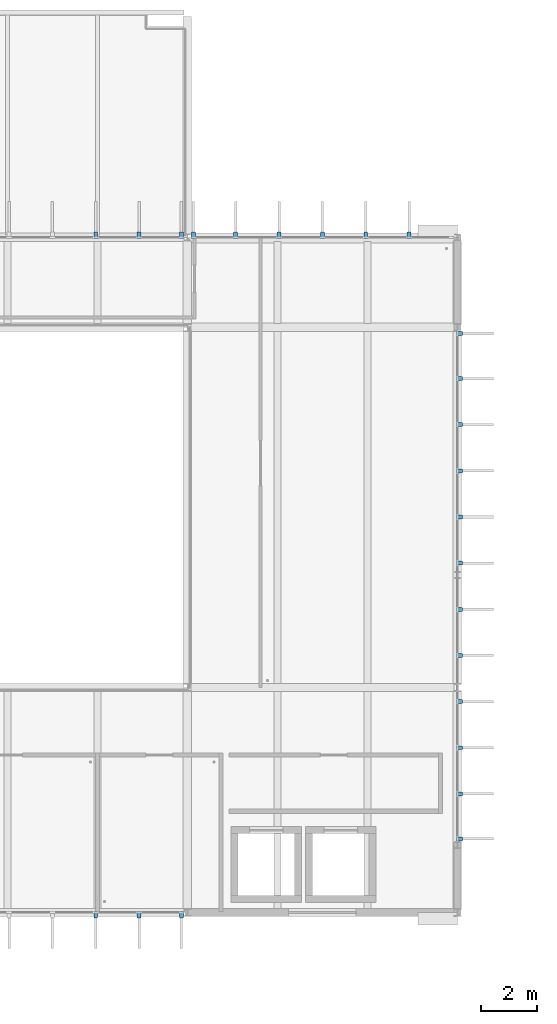
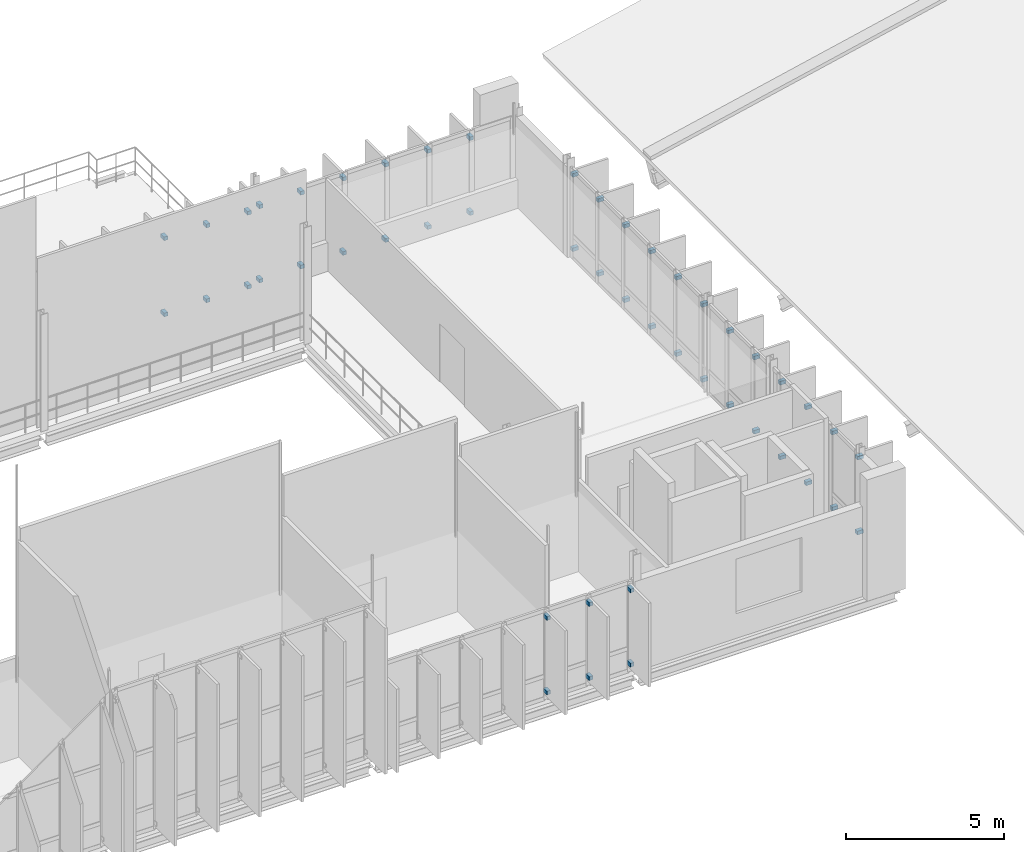
# One storey, part 37 of 41: 48 discrete accessories.
"""IFC4 building model written with IfcOpenShell, lengths in metres."""

from ifc_helpers import new_model, si_unit, direction, frame, origin, origin_2d, place, context, subcontext, project, spatial, rectangle, extrude, material, type_object, element, save


model = new_model("IFC4")

# Units and contexts
model_context = context("Model", 3, precision=1e-05, world=origin(), true_north=direction((0.0, 1.0)))
body_context = subcontext(model_context, "Body", "Model", "MODEL_VIEW")
ifc_project = project(units=[si_unit("LENGTHUNIT", "METRE"), si_unit("AREAUNIT", "SQUARE_METRE"), si_unit("VOLUMEUNIT", "CUBIC_METRE"), si_unit("PLANEANGLEUNIT", "RADIAN"), si_unit("MASSUNIT", "GRAM", prefix="KILO")], contexts=[model_context])

# Site, building, storey
site_placement = place(None, origin())
site = spatial("IfcSite", under=ifc_project, at=site_placement, CompositionType="ELEMENT")
building_placement = place(site_placement, origin())
building = spatial("IfcBuilding", under=site, at=building_placement, Name="Dunescarp Central Library", CompositionType="ELEMENT")
storey_placement = place(building_placement, frame((0.0, 0.0, 23.10009765625)))
storey = spatial("IfcBuildingStorey", under=building, at=storey_placement, Name="L05", CompositionType="ELEMENT", Elevation=23.10009765625)

# Discrete accessories
ifc_material = material(Name="Stainless steel Grade 316L", Category="steel")
discrete_accessory_type = type_object("IfcDiscreteAccessoryType", Name="ARC-ACC-BRK", PredefinedType="BRACKET", material=ifc_material)
for number, where, z_axis, x_axis, name in (
    (1, (66.985107421875, 4.719970703125, 0.27685546875), (0.0, 0.0, 1.0), (0.0, -1.0, 0.0), "Fin bracket BRK-FIN-L05-0523-B"),
    (2, (66.985107421875, 4.719970703125, 3.14306640625), (0.0, 0.0, 1.0), (0.0, -1.0, 0.0), "Fin bracket BRK-FIN-L05-0523-T"),
    (3, (65.48291015625, 4.719970703125, 0.2900390625), (0.0, 0.0, 1.0), (0.0, -1.0, 0.0), "Fin bracket BRK-FIN-L05-0524-B"),
    (4, (65.48291015625, 4.719970703125, 3.14306640625), (0.0, 0.0, 1.0), (0.0, -1.0, 0.0), "Fin bracket BRK-FIN-L05-0524-T"),
    (5, (63.94189453125, 4.719970703125, 0.27392578125), (0.0, 0.0, 1.0), (0.0, -1.0, 0.0), "Fin bracket BRK-FIN-L05-0525-B"),
    (6, (63.94189453125, 4.719970703125, 3.14306640625), (0.0, 0.0, 1.0), (0.0, -1.0, 0.0), "Fin bracket BRK-FIN-L05-0525-T"),
    (7, (63.94189453125, 28.8798828125, 0.18994140625), (0.0, 0.0, 1.0), (0.0, 1.0, 0.0), "Fin bracket BRK-FIN-L05-0540-B"),
    (8, (63.94189453125, 28.8798828125, 3.125), (0.0, 0.0, 1.0), (0.0, 1.0, 0.0), "Fin bracket BRK-FIN-L05-0540-T"),
    (9, (65.48291015625, 28.8798828125, 0.18994140625), (0.0, 0.0, 1.0), (0.0, 1.0, 0.0), "Fin bracket BRK-FIN-L05-0541-B"),
    (10, (65.48291015625, 28.8798828125, 3.0751953125), (0.0, 0.0, 1.0), (0.0, 1.0, 0.0), "Fin bracket BRK-FIN-L05-0541-T"),
    (11, (66.985107421875, 28.8798828125, 0.18994140625), (0.0, 0.0, 1.0), (0.0, 1.0, 0.0), "Fin bracket BRK-FIN-L05-0542-B"),
    (12, (66.985107421875, 28.8798828125, 3.0419921875), (0.0, 0.0, 1.0), (0.0, 1.0, 0.0), "Fin bracket BRK-FIN-L05-0542-T"),
    (13, (67.4150390625, 28.8798828125, 0.27685546875), (0.0, 0.0, 1.0), (0.0, 1.0, 0.0), "Fin bracket BRK-FIN-L05-0543-B"),
    (14, (67.4150390625, 28.8798828125, 3.1357421875), (0.0, 0.0, 1.0), (0.0, 1.0, 0.0), "Fin bracket BRK-FIN-L05-0543-T"),
    (15, (68.9169921875, 28.8798828125, 0.2900390625), (0.0, 0.0, 1.0), (0.0, 1.0, 0.0), "Fin bracket BRK-FIN-L05-0544-B"),
    (16, (68.9169921875, 28.8798828125, 3.1357421875), (0.0, 0.0, 1.0), (0.0, 1.0, 0.0), "Fin bracket BRK-FIN-L05-0544-T"),
    (17, (70.4580078125, 28.8798828125, 0.27392578125), (0.0, 0.0, 1.0), (0.0, 1.0, 0.0), "Fin bracket BRK-FIN-L05-0545-B"),
    (18, (70.4580078125, 28.8798828125, 3.1357421875), (0.0, 0.0, 1.0), (0.0, 1.0, 0.0), "Fin bracket BRK-FIN-L05-0545-T"),
    (19, (72.0, 28.8798828125, 0.23291015625), (0.0, 0.0, 1.0), (0.0, 1.0, 0.0), "Fin bracket BRK-FIN-L05-0546-B"),
    (20, (72.0, 28.8798828125, 3.1357421875), (0.0, 0.0, 1.0), (0.0, 1.0, 0.0), "Fin bracket BRK-FIN-L05-0546-T"),
    (21, (73.5419921875, 28.8798828125, 0.18994140625), (0.0, 0.0, 1.0), (0.0, 1.0, 0.0), "Fin bracket BRK-FIN-L05-0547-B"),
    (22, (73.5419921875, 28.8798828125, 3.125), (0.0, 0.0, 1.0), (0.0, 1.0, 0.0), "Fin bracket BRK-FIN-L05-0547-T"),
    (23, (75.0830078125, 28.8798828125, 0.18994140625), (0.0, 0.0, 1.0), (0.0, 1.0, 0.0), "Fin bracket BRK-FIN-L05-0548-B"),
    (24, (75.0830078125, 28.8798828125, 3.0751953125), (0.0, 0.0, 1.0), (0.0, 1.0, 0.0), "Fin bracket BRK-FIN-L05-0548-T"),
    (25, (76.8798828125, 25.385009765625, 0.27685546875), (0.0, 0.0, 1.0), (1.0, 0.0, 0.0), "Fin bracket BRK-FIN-L05-0549-B"),
    (26, (76.8798828125, 25.385009765625, 3.14306640625), (0.0, 0.0, 1.0), (1.0, 0.0, 0.0), "Fin bracket BRK-FIN-L05-0549-T"),
    (27, (76.8798828125, 23.783935546875, 0.2900390625), (0.0, 0.0, 1.0), (1.0, 0.0, 0.0), "Fin bracket BRK-FIN-L05-0550-B"),
    (28, (76.8798828125, 23.783935546875, 3.14306640625), (0.0, 0.0, 1.0), (1.0, 0.0, 0.0), "Fin bracket BRK-FIN-L05-0550-T"),
    (29, (76.8798828125, 22.14306640625, 0.27392578125), (0.0, 0.0, 1.0), (1.0, 0.0, 0.0), "Fin bracket BRK-FIN-L05-0551-B"),
    (30, (76.8798828125, 22.14306640625, 3.14306640625), (0.0, 0.0, 1.0), (1.0, 0.0, 0.0), "Fin bracket BRK-FIN-L05-0551-T"),
    (31, (76.8798828125, 20.501953125, 0.23291015625), (0.0, 0.0, 1.0), (1.0, 0.0, 0.0), "Fin bracket BRK-FIN-L05-0552-B"),
    (32, (76.8798828125, 20.501953125, 3.14306640625), (0.0, 0.0, 1.0), (1.0, 0.0, 0.0), "Fin bracket BRK-FIN-L05-0552-T"),
    (33, (76.8798828125, 18.861083984375, 0.18994140625), (0.0, 0.0, 1.0), (1.0, 0.0, 0.0), "Fin bracket BRK-FIN-L05-0553-B"),
    (34, (76.8798828125, 18.861083984375, 3.1318359375), (0.0, 0.0, 1.0), (1.0, 0.0, 0.0), "Fin bracket BRK-FIN-L05-0553-T"),
    (35, (76.8798828125, 17.219970703125, 0.18994140625), (0.0, 0.0, 1.0), (1.0, 0.0, 0.0), "Fin bracket BRK-FIN-L05-0554-B"),
    (36, (76.8798828125, 17.219970703125, 3.08203125), (0.0, 0.0, 1.0), (1.0, 0.0, 0.0), "Fin bracket BRK-FIN-L05-0554-T"),
    (37, (76.8798828125, 15.580078125, 0.18994140625), (0.0, 0.0, 1.0), (1.0, 0.0, 0.0), "Fin bracket BRK-FIN-L05-0555-B"),
    (38, (76.8798828125, 15.580078125, 3.048828125), (0.0, 0.0, 1.0), (1.0, 0.0, 0.0), "Fin bracket BRK-FIN-L05-0555-T"),
    (39, (76.8798828125, 13.93896484375, 0.18994140625), (0.0, 0.0, 1.0), (1.0, 0.0, 0.0), "Fin bracket BRK-FIN-L05-0556-B"),
    (40, (76.8798828125, 13.93896484375, 3.044921875), (0.0, 0.0, 1.0), (1.0, 0.0, 0.0), "Fin bracket BRK-FIN-L05-0556-T"),
    (41, (76.8798828125, 12.298095703125, 0.18994140625), (0.0, 0.0, 1.0), (1.0, 0.0, 0.0), "Fin bracket BRK-FIN-L05-0557-B"),
    (42, (76.8798828125, 12.298095703125, 3.06884765625), (0.0, 0.0, 1.0), (1.0, 0.0, 0.0), "Fin bracket BRK-FIN-L05-0557-T"),
    (43, (76.8798828125, 10.656982421875, 0.18994140625), (0.0, 0.0, 1.0), (1.0, 0.0, 0.0), "Fin bracket BRK-FIN-L05-0558-B"),
    (44, (76.8798828125, 10.656982421875, 3.11474609375), (0.0, 0.0, 1.0), (1.0, 0.0, 0.0), "Fin bracket BRK-FIN-L05-0558-T"),
    (45, (76.8798828125, 9.01611328125, 0.2158203125), (0.0, 0.0, 1.0), (1.0, 0.0, 0.0), "Fin bracket BRK-FIN-L05-0559-B"),
    (46, (76.8798828125, 9.01611328125, 3.14306640625), (0.0, 0.0, 1.0), (1.0, 0.0, 0.0), "Fin bracket BRK-FIN-L05-0559-T"),
    (47, (76.8798828125, 7.4150390625, 0.26318359375), (0.0, 0.0, 1.0), (1.0, 0.0, 0.0), "Fin bracket BRK-FIN-L05-0560-B"),
    (48, (76.8798828125, 7.4150390625, 3.14306640625), (0.0, 0.0, 1.0), (1.0, 0.0, 0.0), "Fin bracket BRK-FIN-L05-0560-T"),
):
    element("IfcDiscreteAccessory", number, at=place(storey_placement, frame(where, z_axis=z_axis, x_axis=x_axis)), inside=storey, type_object=discrete_accessory_type, Name=name, PredefinedType="BRACKET", context=body_context, shape_type="SweptSolid", body=[
        extrude(rectangle(XDim=0.219970703125, YDim=0.139892578125, at=origin_2d()), origin(), (0.0, 0.0, 1.0), 0.139892578125),
    ])

save(model, "model.ifc")
